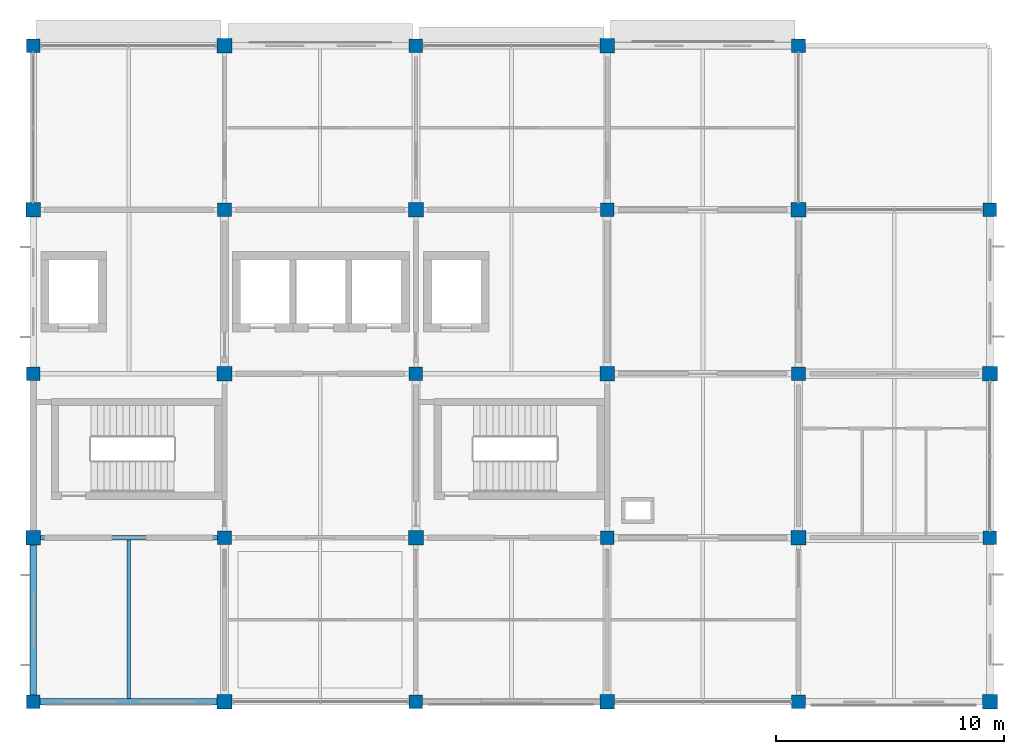
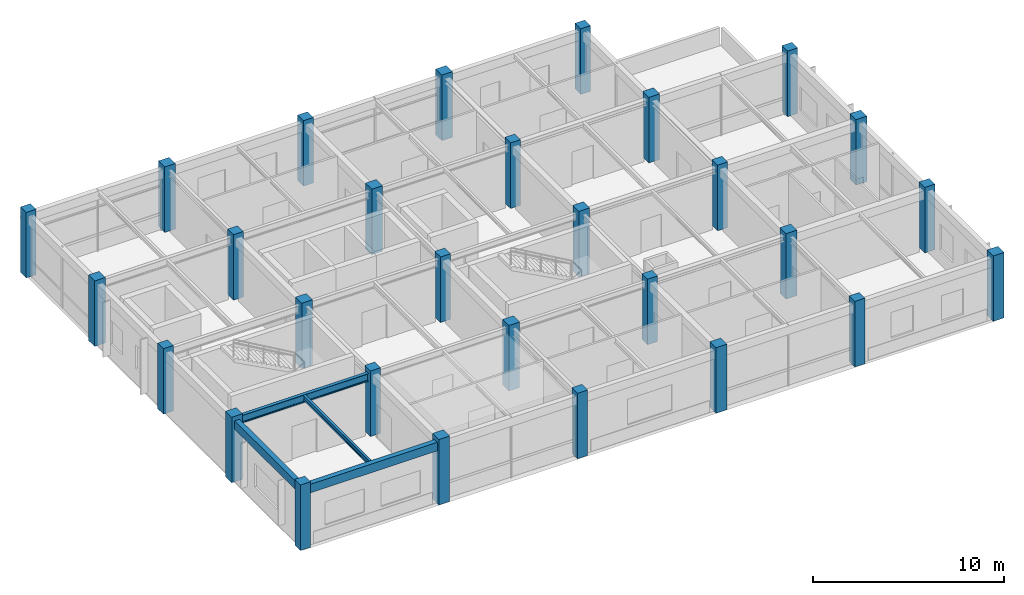
# One storey, part 1 of 13: 29 columns, 4 beams.
"""IFC4 building model written with IfcOpenShell, lengths in metres."""

from ifc_helpers import new_model, si_unit, derived_unit, direction, frame, origin, origin_2d, place, context, subcontext, project, spatial, rectangle, i_section, extrude, material, material_profile, profile_set, type_object, element, save


model = new_model("IFC4")

# Units and contexts
model_context = context("Model", 3, precision=1e-05, world=origin(), true_north=direction((0.0, 1.0)))
body_context = subcontext(model_context, "Body", "Model", "MODEL_VIEW")
ifc_project = project(units=[si_unit("LENGTHUNIT", "METRE"), si_unit("AREAUNIT", "SQUARE_METRE"), si_unit("VOLUMEUNIT", "CUBIC_METRE"), si_unit("PLANEANGLEUNIT", "RADIAN"), si_unit("MASSUNIT", "GRAM", prefix="KILO"), derived_unit("THERMALTRANSMITTANCEUNIT", [(si_unit("MASSUNIT", "GRAM", prefix="KILO"), 1), (si_unit("TIMEUNIT", "SECOND"), -3), (si_unit("THERMODYNAMICTEMPERATUREUNIT", "KELVIN"), -1)])], contexts=[model_context])

# Site, building, storey
site_placement = place(None, origin())
site = spatial("IfcSite", under=ifc_project, at=site_placement, CompositionType="ELEMENT")
building_placement = place(site_placement, origin())
building = spatial("IfcBuilding", under=site, at=building_placement, Name="Veldstrom Oceanarium and Marine Research Institute", CompositionType="ELEMENT")
storey_placement = place(building_placement, frame((0.0, 0.0, 52.199951171875)))
storey = spatial("IfcBuildingStorey", under=building, at=storey_placement, Name="L11", CompositionType="ELEMENT", Elevation=52.199951171875)

# Columns
ifc_material_1 = material(Name="Concrete C50/60", Category="concrete")
ifc_material_profile_1 = material_profile(ifc_material_1, rectangle(XDim=0.64990234375, YDim=0.64990234375, at=origin_2d()), Name="RC-COL-650x650")
ifc_profile_set_1 = profile_set([ifc_material_profile_1], Name="Concrete C50/60")
column_type_1 = type_object("IfcColumnType", Name="STR-COL-C07", PredefinedType="COLUMN", material=ifc_profile_set_1)
for number, where, z_axis, x_axis, name in (
    (1, (75.60009765625, 50.39990234375, 0.0), (0.0, 0.0, 1.0), (1.0, 0.0, 0.0), "Column C07 10/H L11"),
    (2, (75.60009765625, 64.800048828125, 0.0), (0.0, 0.0, 1.0), (1.0, 0.0, 0.0), "Column C07 10/K L11"),
    (3, (84.0, 43.199951171875, 0.0), (0.0, 0.0, 1.0), (1.0, 0.0, 0.0), "Column C07 11/G L11"),
    (4, (84.0, 57.60009765625, 0.0), (0.0, 0.0, 1.0), (1.0, 0.0, 0.0), "Column C07 11/J L11"),
    (5, (84.0, 72.0, 0.0), (0.0, 0.0, 1.0), (1.0, 0.0, 0.0), "Column C07 11/L L11"),
    (6, (92.39990234375, 50.39990234375, 0.0), (0.0, 0.0, 1.0), (1.0, 0.0, 0.0), "Column C07 12/H L11"),
    (7, (92.39990234375, 64.800048828125, 0.0), (0.0, 0.0, 1.0), (1.0, 0.0, 0.0), "Column C07 12/K L11"),
    (8, (100.800048828125, 43.199951171875, 0.0), (0.0, 0.0, 1.0), (1.0, 0.0, 0.0), "Column C07 13/G L11"),
    (9, (100.800048828125, 57.60009765625, 0.0), (0.0, 0.0, 1.0), (1.0, 0.0, 0.0), "Column C07 13/J L11"),
    (10, (100.800048828125, 72.0, 0.0), (0.0, 0.0, 1.0), (1.0, 0.0, 0.0), "Column C07 13/L L11"),
    (11, (109.199951171875, 50.39990234375, 0.0), (0.0, 0.0, 1.0), (1.0, 0.0, 0.0), "Column C07 14/H L11"),
    (12, (109.199951171875, 64.800048828125, 0.0), (0.0, 0.0, 1.0), (1.0, 0.0, 0.0), "Column C07 14/K L11"),
    (13, (117.60009765625, 43.199951171875, 0.0), (0.0, 0.0, 1.0), (1.0, 0.0, 0.0), "Column C07 15/G L11"),
    (14, (117.60009765625, 57.60009765625, 0.0), (0.0, 0.0, 1.0), (1.0, 0.0, 0.0), "Column C07 15/J L11"),
):
    element("IfcColumn", number, at=place(storey_placement, frame(where, z_axis=z_axis, x_axis=x_axis)), inside=storey, type_object=column_type_1, Name=name, PredefinedType="COLUMN", context=body_context, shape_type="SweptSolid", body=[
        extrude(rectangle(XDim=0.64990234375, YDim=0.64990234375, at=origin_2d()), origin(), (0.0, 0.0, 1.0), 4.199951171875),
    ])
ifc_material_2 = material(Name="Concrete C50/60", Category="concrete")
ifc_material_profile_2 = material_profile(ifc_material_2, rectangle(XDim=0.60009765625, YDim=0.60009765625, at=origin_2d()), Name="RC-COL-600x600")
ifc_profile_set_2 = profile_set([ifc_material_profile_2], Name="Concrete C50/60")
column_type_2 = type_object("IfcColumnType", Name="STR-COL-C08", PredefinedType="COLUMN", material=ifc_profile_set_2)
for number, where, z_axis, x_axis, name in (
    (15, (75.60009765625, 43.199951171875, 0.0), (0.0, 0.0, 1.0), (1.0, 0.0, 0.0), "Column C08 10/G L11"),
    (16, (75.60009765625, 57.60009765625, 0.0), (0.0, 0.0, 1.0), (1.0, 0.0, 0.0), "Column C08 10/J L11"),
    (17, (75.60009765625, 72.0, 0.0), (0.0, 0.0, 1.0), (1.0, 0.0, 0.0), "Column C08 10/L L11"),
    (18, (84.0, 50.39990234375, 0.0), (0.0, 0.0, 1.0), (1.0, 0.0, 0.0), "Column C08 11/H L11"),
    (19, (84.0, 64.800048828125, 0.0), (0.0, 0.0, 1.0), (1.0, 0.0, 0.0), "Column C08 11/K L11"),
    (20, (92.39990234375, 43.199951171875, 0.0), (0.0, 0.0, 1.0), (1.0, 0.0, 0.0), "Column C08 12/G L11"),
    (21, (92.39990234375, 57.60009765625, 0.0), (0.0, 0.0, 1.0), (1.0, 0.0, 0.0), "Column C08 12/J L11"),
    (22, (92.39990234375, 72.0, 0.0), (0.0, 0.0, 1.0), (1.0, 0.0, 0.0), "Column C08 12/L L11"),
    (23, (100.800048828125, 50.39990234375, 0.0), (0.0, 0.0, 1.0), (1.0, 0.0, 0.0), "Column C08 13/H L11"),
    (24, (100.800048828125, 64.800048828125, 0.0), (0.0, 0.0, 1.0), (1.0, 0.0, 0.0), "Column C08 13/K L11"),
    (25, (109.199951171875, 43.199951171875, 0.0), (0.0, 0.0, 1.0), (1.0, 0.0, 0.0), "Column C08 14/G L11"),
    (26, (109.199951171875, 57.60009765625, 0.0), (0.0, 0.0, 1.0), (1.0, 0.0, 0.0), "Column C08 14/J L11"),
    (27, (109.199951171875, 72.0, 0.0), (0.0, 0.0, 1.0), (1.0, 0.0, 0.0), "Column C08 14/L L11"),
    (28, (117.60009765625, 50.39990234375, 0.0), (0.0, 0.0, 1.0), (1.0, 0.0, 0.0), "Column C08 15/H L11"),
    (29, (117.60009765625, 64.800048828125, 0.0), (0.0, 0.0, 1.0), (1.0, 0.0, 0.0), "Column C08 15/K L11"),
):
    element("IfcColumn", number, at=place(storey_placement, frame(where, z_axis=z_axis, x_axis=x_axis)), inside=storey, type_object=column_type_2, Name=name, PredefinedType="COLUMN", context=body_context, shape_type="SweptSolid", body=[
        extrude(rectangle(XDim=0.60009765625, YDim=0.60009765625, at=origin_2d()), origin(), (0.0, 0.0, 1.0), 4.199951171875),
    ])

# Beams
ifc_material_3 = material(Name="Steel S355JR", Category="steel")
ifc_material_profile_3 = material_profile(ifc_material_3, i_section(OverallWidth=0.199951171875, OverallDepth=0.5, WebThickness=0.01025390625, FlangeThickness=0.01611328125, FilletRadius=0.02099609375, at=origin_2d()), Name="IPE 500")
ifc_profile_set_3 = profile_set([ifc_material_profile_3], Name="Steel S355JR")
beam_type_1 = type_object("IfcBeamType", Name="STR-BM-SB6", PredefinedType="BEAM", material=ifc_profile_set_3)
beam_1_placement = place(storey_placement, frame((75.60009765625, 50.39990234375, 3.6650390625), z_axis=(1.0, 0.0, 0.0), x_axis=(0.0, 1.0, 0.0)))
element("IfcBeam", 30, at=beam_1_placement, inside=storey, type_object=beam_type_1, Name="Steel Floor Girder SB6 L11-2606", PredefinedType="BEAM", context=body_context, shape_type="SweptSolid", body=[
    extrude(i_section(OverallWidth=0.199951171875, OverallDepth=0.5, WebThickness=0.01025390625, FlangeThickness=0.01611328125, FilletRadius=0.02099609375, at=origin_2d()), origin(), (0.0, 0.0, 1.0), 8.39990234375),
])
ifc_material_4 = material(Name="Steel S355JR", Category="steel")
ifc_material_profile_4 = material_profile(ifc_material_4, i_section(OverallWidth=0.14990234375, OverallDepth=0.300048828125, WebThickness=0.007080078125, FlangeThickness=0.0107421875, FilletRadius=0.014892578125, at=origin_2d()), Name="IPE 300")
ifc_profile_set_4 = profile_set([ifc_material_profile_4], Name="Steel S355JR")
beam_type_2 = type_object("IfcBeamType", Name="STR-JST-SJ2", PredefinedType="JOIST", material=ifc_profile_set_4)
beam_2_placement = place(storey_placement, frame((79.800048828125, 43.35009765625, 3.76513671875), z_axis=(0.0, 1.0, 0.0), x_axis=(-1.0, 0.0, 0.0)))
element("IfcBeam", 31, at=beam_2_placement, inside=storey, type_object=beam_type_2, Name="Secondary Joist SJ2 L11-2652", PredefinedType="JOIST", context=body_context, shape_type="SweptSolid", body=[
    extrude(i_section(OverallWidth=0.14990234375, OverallDepth=0.300048828125, WebThickness=0.007080078125, FlangeThickness=0.0107421875, FilletRadius=0.014892578125, at=origin_2d()), origin(), (0.0, 0.0, 1.0), 6.949951171875),
])
ifc_material_5 = material(Name="Concrete C40/50", Category="concrete")
ifc_material_profile_5 = material_profile(ifc_material_5, rectangle(XDim=0.300048828125, YDim=0.550048828125, at=origin_2d()), Name="RC-SPN-300x550")
ifc_profile_set_5 = profile_set([ifc_material_profile_5], Name="Concrete C40/50")
beam_type_3 = type_object("IfcBeamType", Name="STR-SPN-SP2", PredefinedType="SPANDREL", material=ifc_profile_set_5)
beam_3_placement = place(storey_placement, frame((75.60009765625, 43.199951171875, 3.64013671875), z_axis=(1.0, 0.0, 0.0), x_axis=(0.0, 1.0, 0.0)))
element("IfcBeam", 32, at=beam_3_placement, inside=storey, type_object=beam_type_3, Name="Perimeter Spandrel SPB2 L11-2605", PredefinedType="SPANDREL", context=body_context, shape_type="SweptSolid", body=[
    extrude(rectangle(XDim=0.300048828125, YDim=0.550048828125, at=origin_2d()), origin(), (0.0, 0.0, 1.0), 8.39990234375),
])
beam_4_placement = place(storey_placement, frame((75.60009765625, 43.199951171875, 3.64013671875), z_axis=(0.0, 1.0, 0.0), x_axis=(-1.0, 0.0, 0.0)))
element("IfcBeam", 33, at=beam_4_placement, inside=storey, type_object=beam_type_3, Name="Perimeter Spandrel SPB2 L11-2629", PredefinedType="SPANDREL", context=body_context, shape_type="SweptSolid", body=[
    extrude(rectangle(XDim=0.300048828125, YDim=0.550048828125, at=origin_2d()), origin(), (0.0, 0.0, 1.0), 7.199951171875),
])

save(model, "model.ifc")
